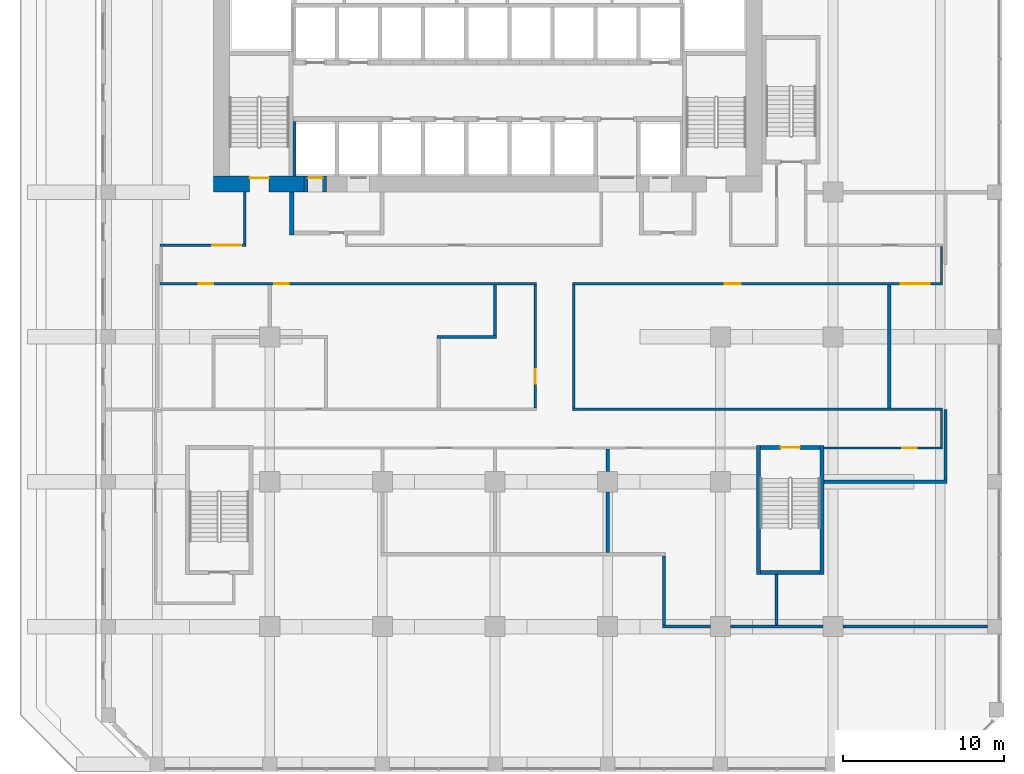
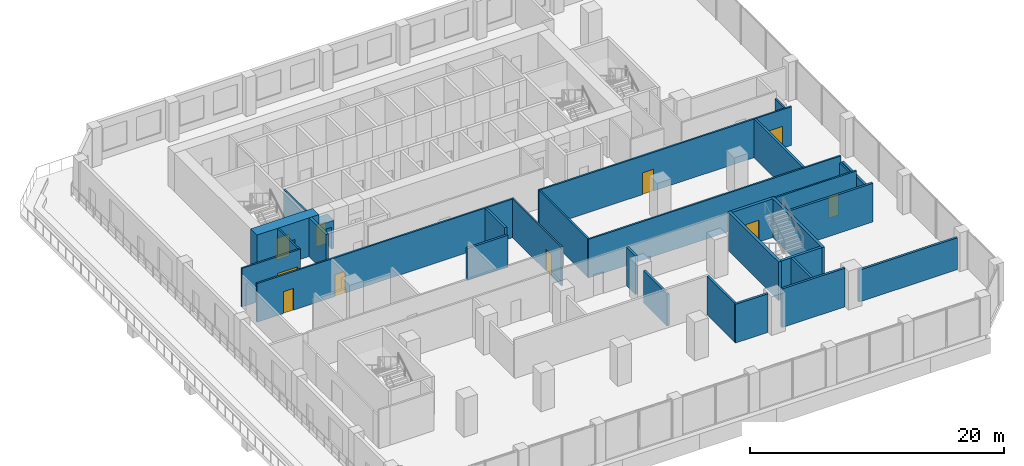
# One storey, part 13 of 20: 30 walls, 10 doors, 10 openings.
"""IFC4 building model written with IfcOpenShell, lengths in metres."""

from ifc_helpers import new_model, si_unit, direction, frame, frame_2d, origin, place, context, subcontext, project, spatial, rectangle, extrude, source, transform, mapped, material, layer, layer_set, type_object, element, fill, save


model = new_model("IFC4")

# Units and contexts
model_context = context("Model", 3, precision=1e-05, world=origin(), true_north=direction((0.0, 1.0)))
body_context = subcontext(model_context, "Body", "Model", "MODEL_VIEW")
ifc_project = project(units=[si_unit("LENGTHUNIT", "METRE"), si_unit("AREAUNIT", "SQUARE_METRE"), si_unit("VOLUMEUNIT", "CUBIC_METRE"), si_unit("PLANEANGLEUNIT", "RADIAN"), si_unit("MASSUNIT", "GRAM", prefix="KILO")], contexts=[model_context])

# Site, building, storey
site_placement = place(None, origin())
site = spatial("IfcSite", under=ifc_project, at=site_placement, CompositionType="ELEMENT")
building_placement = place(site_placement, origin())
building = spatial("IfcBuilding", under=site, at=building_placement, Name="Kilnfold Tower and Market Hall", CompositionType="ELEMENT")
storey_placement = place(building_placement, frame((0.0, 0.0, 63.199951171875)))
storey = spatial("IfcBuildingStorey", under=building, at=storey_placement, Name="L14", CompositionType="ELEMENT", Elevation=63.199951171875)

# Wall, openings, doors
ifc_material_1 = material(Name="Gypsum board on steel studs", Category="steel")
ifc_layer_1 = layer(ifc_material_1, 0.14990234375)
ifc_layer_set_1 = layer_set([ifc_layer_1], Name="Gypsum board on steel studs")
wall_type_1 = type_object("IfcWallType", Name="WALL CORRIDOR 150", PredefinedType="PARTITIONING", material=ifc_layer_set_1)
wall_1_placement = place(storey_placement, frame((-19.324951171875, 2.300048828125, 0.0), z_axis=(0.0, 0.0, 1.0), x_axis=(1.0, 0.0, 0.0)))
wall_1 = element("IfcWall", 1, at=wall_1_placement, inside=storey, type_object=wall_type_1, Name="Partition LY12.10", PredefinedType="PARTITIONING", context=body_context, shape_type="SweptSolid", body=[
    extrude(rectangle(XDim=23.39990234375, YDim=0.14990234375, at=frame_2d((11.699951171875, 0.0))), origin(), (0.0, 0.0, 1.0), 3.719970703125),
])
opening_1_placement = place(wall_1_placement, frame((2.4140625, 0.0, 0.0)))
opening_1 = element("IfcOpeningElement", 2, at=opening_1_placement, cuts=wall_1, Name="Opening D2", PredefinedType="OPENING", context=body_context, shape_type="SweptSolid", body=[
    extrude(rectangle(XDim=0.89990234375, YDim=2.10009765625, at=frame_2d((0.449951171875, 1.050048828125))), frame((0.0, 0.0849609375, 0.0), z_axis=(0.0, -1.0, 0.0), x_axis=(1.0, 0.0, 0.0)), (0.0, 0.0, 1.0), 0.169921875),
])
opening_2_placement = place(wall_1_placement, frame((7.114990234375, 0.0, 0.0)))
opening_2 = element("IfcOpeningElement", 3, at=opening_2_placement, cuts=wall_1, Name="Opening D2", PredefinedType="OPENING", context=body_context, shape_type="SweptSolid", body=[
    extrude(rectangle(XDim=0.89990234375, YDim=2.10009765625, at=frame_2d((0.449951171875, 1.050048828125))), frame((0.0, 0.0849609375, 0.0), z_axis=(0.0, -1.0, 0.0), x_axis=(1.0, 0.0, 0.0)), (0.0, 0.0, 1.0), 0.169921875),
])
ifc_material_2 = material(Name="Timber veneer door leaf in steel frame", Category="steel")
door_type_1 = type_object("IfcDoorType", Name="DOOR ROOM 900 X2100", OperationType="NOTDEFINED", PredefinedType="DOOR", material=ifc_material_2)
door_1_placement = place(opening_1_placement, origin())
door_1 = element("IfcDoor", 4, at=door_1_placement, inside=storey, type_object=door_type_1, Name="Door D2", OperationType="SINGLE_SWING_LEFT", OverallHeight=2.10009765625, OverallWidth=0.89990234375, PredefinedType="DOOR", context=body_context, shape_type="SweptSolid", body=[
    extrude(rectangle(XDim=0.89990234375, YDim=2.10009765625, at=frame_2d((0.449951171875, 1.050048828125))), frame((0.0, 0.02490234375, 0.0), z_axis=(0.0, -1.0, 0.0), x_axis=(1.0, 0.0, 0.0)), (0.0, 0.0, 1.0), 0.050048828125),
])
fill(opening_1, door_1)
door_2_placement = place(opening_2_placement, origin())
door_2 = element("IfcDoor", 5, at=door_2_placement, inside=storey, type_object=door_type_1, Name="Door D2", OperationType="SINGLE_SWING_RIGHT", OverallHeight=2.10009765625, OverallWidth=0.89990234375, PredefinedType="DOOR", context=body_context, shape_type="SweptSolid", body=[
    extrude(rectangle(XDim=0.89990234375, YDim=2.10009765625, at=frame_2d((0.449951171875, 1.050048828125))), frame((0.0, 0.02490234375, 0.0), z_axis=(0.0, -1.0, 0.0), x_axis=(1.0, 0.0, 0.0)), (0.0, 0.0, 1.0), 0.050048828125),
])
fill(opening_2, door_2)

# Wall, opening, door
wall_2_placement = place(storey_placement, frame((-19.324951171875, 4.699951171875, 0.0), z_axis=(0.0, 0.0, 1.0), x_axis=(1.0, 0.0, 0.0)))
wall_2 = element("IfcWall", 6, at=wall_2_placement, inside=storey, type_object=wall_type_1, Name="Partition LY12.12", PredefinedType="PARTITIONING", context=body_context, shape_type="SweptSolid", body=[
    extrude(rectangle(XDim=5.349853515625, YDim=0.14990234375, at=frame_2d((2.6748046875, 0.0))), origin(), (0.0, 0.0, 1.0), 3.719970703125),
])
opening_3_placement = place(wall_2_placement, frame((3.248046875, 0.0, 0.0)))
opening_3 = element("IfcOpeningElement", 7, at=opening_3_placement, cuts=wall_2, Name="Opening D5", PredefinedType="OPENING", context=body_context, shape_type="SweptSolid", body=[
    extrude(rectangle(XDim=1.800048828125, YDim=2.10009765625, at=frame_2d((0.89990234375, 1.050048828125))), frame((0.0, 0.0849609375, 0.0), z_axis=(0.0, -1.0, 0.0), x_axis=(1.0, 0.0, 0.0)), (0.0, 0.0, 1.0), 0.169921875),
])
ifc_material_3 = material(Name="Timber veneer door leaf in steel frame", Category="steel")
door_type_2 = type_object("IfcDoorType", Name="DOOR DOUBLE 1800 X2100", OperationType="NOTDEFINED", PredefinedType="DOOR", material=ifc_material_3)
door_3_placement = place(opening_3_placement, origin())
door_3 = element("IfcDoor", 8, at=door_3_placement, inside=storey, type_object=door_type_2, Name="Door D5", OperationType="DOUBLE_DOOR_SINGLE_SWING", OverallHeight=2.10009765625, OverallWidth=1.800048828125, PredefinedType="DOOR", context=body_context, shape_type="SweptSolid", body=[
    extrude(rectangle(XDim=1.800048828125, YDim=2.10009765625, at=frame_2d((0.89990234375, 1.050048828125))), frame((0.0, 0.02490234375, 0.0), z_axis=(0.0, -1.0, 0.0), x_axis=(1.0, 0.0, 0.0)), (0.0, 0.0, 1.0), 0.050048828125),
])
fill(opening_3, door_3)

# Wall
wall_3_placement = place(storey_placement, frame((-14.050048828125, 8.0, 0.0), z_axis=(0.0, 0.0, 1.0), x_axis=(0.0, -1.0, 0.0)))
element("IfcWall", 9, at=wall_3_placement, inside=storey, type_object=wall_type_1, Name="Partition LY12.13", PredefinedType="PARTITIONING", context=body_context, shape_type="SweptSolid", body=[
    extrude(rectangle(XDim=3.22509765625, YDim=0.14990234375, at=frame_2d((1.612548828125, 0.0))), origin(), (0.0, 0.0, 1.0), 3.719970703125),
])

# Wall, opening, door
wall_4_placement = place(storey_placement, frame((4.0, 2.22509765625, 0.0), z_axis=(0.0, 0.0, 1.0), x_axis=(0.0, -1.0, 0.0)))
wall_4 = element("IfcWall", 10, at=wall_4_placement, inside=storey, type_object=wall_type_1, Name="Partition LY12.17", PredefinedType="PARTITIONING", context=body_context, shape_type="SweptSolid", body=[
    extrude(rectangle(XDim=7.650146484375, YDim=0.14990234375, at=frame_2d((3.8251953125, 0.0))), origin(), (0.0, 0.0, 1.0), 3.719970703125),
])
opening_4_placement = place(wall_4_placement, frame((5.239990234375, 0.0, 0.0)))
opening_4 = element("IfcOpeningElement", 11, at=opening_4_placement, cuts=wall_4, Name="Opening D2", PredefinedType="OPENING", context=body_context, shape_type="SweptSolid", body=[
    extrude(rectangle(XDim=0.89990234375, YDim=2.10009765625, at=frame_2d((0.449951171875, 1.050048828125))), frame((0.0, 0.0849609375, 0.0), z_axis=(0.0, -1.0, 0.0), x_axis=(1.0, 0.0, 0.0)), (0.0, 0.0, 1.0), 0.169921875),
])
door_4_placement = place(opening_4_placement, origin())
door_4 = element("IfcDoor", 12, at=door_4_placement, inside=storey, type_object=door_type_1, Name="Door D2", OperationType="SINGLE_SWING_LEFT", OverallHeight=2.10009765625, OverallWidth=0.89990234375, PredefinedType="DOOR", context=body_context, shape_type="SweptSolid", body=[
    extrude(rectangle(XDim=0.89990234375, YDim=2.10009765625, at=frame_2d((0.449951171875, 1.050048828125))), frame((0.0, 0.02490234375, 0.0), z_axis=(0.0, -1.0, 0.0), x_axis=(1.0, 0.0, 0.0)), (0.0, 0.0, 1.0), 0.050048828125),
])
fill(opening_4, door_4)

# Wall, openings, doors
wall_5_placement = place(storey_placement, frame((6.324951171875, 2.300048828125, 0.0), z_axis=(0.0, 0.0, 1.0), x_axis=(1.0, 0.0, 0.0)))
wall_5 = element("IfcWall", 13, at=wall_5_placement, inside=storey, type_object=wall_type_1, Name="Partition LY12.18", PredefinedType="PARTITIONING", context=body_context, shape_type="SweptSolid", body=[
    extrude(rectangle(XDim=23.0, YDim=0.14990234375, at=frame_2d((11.5, 0.0))), origin(), (0.0, 0.0, 1.0), 3.719970703125),
])
opening_5_placement = place(wall_5_placement, frame((9.443115234375, 0.0, 0.0)))
opening_5 = element("IfcOpeningElement", 14, at=opening_5_placement, cuts=wall_5, Name="Opening D1", PredefinedType="OPENING", context=body_context, shape_type="SweptSolid", body=[
    extrude(rectangle(XDim=1.0, YDim=2.10009765625, at=frame_2d((0.5, 1.050048828125))), frame((0.0, 0.0849609375, 0.0), z_axis=(0.0, -1.0, 0.0), x_axis=(1.0, 0.0, 0.0)), (0.0, 0.0, 1.0), 0.169921875),
])
opening_6_placement = place(wall_5_placement, frame((20.381103515625, 0.0, 0.0)))
opening_6 = element("IfcOpeningElement", 15, at=opening_6_placement, cuts=wall_5, Name="Opening D5", PredefinedType="OPENING", context=body_context, shape_type="SweptSolid", body=[
    extrude(rectangle(XDim=1.800048828125, YDim=2.10009765625, at=frame_2d((0.89990234375, 1.050048828125))), frame((0.0, 0.0849609375, 0.0), z_axis=(0.0, -1.0, 0.0), x_axis=(1.0, 0.0, 0.0)), (0.0, 0.0, 1.0), 0.169921875),
])
door_5_placement = place(opening_6_placement, origin())
door_5 = element("IfcDoor", 16, at=door_5_placement, inside=storey, type_object=door_type_2, Name="Door D5", OperationType="DOUBLE_DOOR_SINGLE_SWING", OverallHeight=2.10009765625, OverallWidth=1.800048828125, PredefinedType="DOOR", context=body_context, shape_type="SweptSolid", body=[
    extrude(rectangle(XDim=1.800048828125, YDim=2.10009765625, at=frame_2d((0.89990234375, 1.050048828125))), frame((0.0, 0.02490234375, 0.0), z_axis=(0.0, -1.0, 0.0), x_axis=(1.0, 0.0, 0.0)), (0.0, 0.0, 1.0), 0.050048828125),
])
fill(opening_6, door_5)
ifc_material_4 = material(Name="Timber veneer door leaf in steel frame", Category="steel")
door_type_3 = type_object("IfcDoorType", Name="DOOR ENTRY 1000 X2100", OperationType="NOTDEFINED", PredefinedType="DOOR", material=ifc_material_4)
door_6_placement = place(opening_5_placement, origin())
door_6 = element("IfcDoor", 17, at=door_6_placement, inside=storey, type_object=door_type_3, Name="Door D1", OperationType="SINGLE_SWING_LEFT", OverallHeight=2.10009765625, OverallWidth=1.0, PredefinedType="DOOR", context=body_context, shape_type="SweptSolid", body=[
    extrude(rectangle(XDim=1.0, YDim=2.10009765625, at=frame_2d((0.5, 1.050048828125))), frame((0.0, 0.02490234375, 0.0), z_axis=(0.0, -1.0, 0.0), x_axis=(1.0, 0.0, 0.0)), (0.0, 0.0, 1.0), 0.050048828125),
])
fill(opening_5, door_6)

# Walls
wall_6_placement = place(storey_placement, frame((6.39990234375, -5.425048828125, 0.0), z_axis=(0.0, 0.0, 1.0), x_axis=(0.0, 1.0, 0.0)))
element("IfcWall", 18, at=wall_6_placement, inside=storey, type_object=wall_type_1, Name="Partition LY12.19", PredefinedType="PARTITIONING", context=body_context, shape_type="SweptSolid", body=[
    extrude(rectangle(XDim=7.650146484375, YDim=0.14990234375, at=frame_2d((3.8251953125, 0.0))), origin(), (0.0, 0.0, 1.0), 3.719970703125),
])
wall_7_placement = place(storey_placement, frame((6.324951171875, -5.5, 0.0), z_axis=(0.0, 0.0, 1.0), x_axis=(1.0, 0.0, 0.0)))
element("IfcWall", 19, at=wall_7_placement, inside=storey, type_object=wall_type_1, Name="Partition LY12.20", PredefinedType="PARTITIONING", context=body_context, shape_type="SweptSolid", body=[
    extrude(rectangle(XDim=23.0, YDim=0.14990234375, at=frame_2d((11.5, 0.0))), origin(), (0.0, 0.0, 1.0), 3.719970703125),
])
wall_8_placement = place(storey_placement, frame((29.25, -7.824951171875, 0.0), z_axis=(0.0, 0.0, 1.0), x_axis=(0.0, 1.0, 0.0)))
element("IfcWall", 20, at=wall_8_placement, inside=storey, type_object=wall_type_1, Name="Partition LY12.27", PredefinedType="PARTITIONING", context=body_context, shape_type="SweptSolid", body=[
    extrude(rectangle(XDim=2.25, YDim=0.14990234375, at=frame_2d((1.125, 0.0))), origin(), (0.0, 0.0, 1.0), 3.070068359375),
])

# Wall, opening, door
wall_9_placement = place(storey_placement, frame((21.89990234375, -7.89990234375, 0.0), z_axis=(0.0, 0.0, 1.0), x_axis=(1.0, 0.0, 0.0)))
wall_9 = element("IfcWall", 21, at=wall_9_placement, inside=storey, type_object=wall_type_1, Name="Partition LY12.28", PredefinedType="PARTITIONING", context=body_context, shape_type="SweptSolid", body=[
    extrude(rectangle(XDim=7.425048828125, YDim=0.14990234375, at=frame_2d((3.71240234375, 0.0))), origin(), (0.0, 0.0, 1.0), 3.719970703125),
])
opening_7_placement = place(wall_9_placement, frame((4.9189453125, 0.0, 0.0)))
opening_7 = element("IfcOpeningElement", 22, at=opening_7_placement, cuts=wall_9, Name="Opening D2", PredefinedType="OPENING", context=body_context, shape_type="SweptSolid", body=[
    extrude(rectangle(XDim=0.89990234375, YDim=2.10009765625, at=frame_2d((0.449951171875, 1.050048828125))), frame((0.0, 0.0849609375, 0.0), z_axis=(0.0, -1.0, 0.0), x_axis=(1.0, 0.0, 0.0)), (0.0, 0.0, 1.0), 0.169921875),
])
door_7_placement = place(opening_7_placement, origin())
door_7 = element("IfcDoor", 23, at=door_7_placement, inside=storey, type_object=door_type_1, Name="Door D2", OperationType="SINGLE_SWING_RIGHT", OverallHeight=2.10009765625, OverallWidth=0.89990234375, PredefinedType="DOOR", context=body_context, shape_type="SweptSolid", body=[
    extrude(rectangle(XDim=0.89990234375, YDim=2.10009765625, at=frame_2d((0.449951171875, 1.050048828125))), frame((0.0, 0.02490234375, 0.0), z_axis=(0.0, -1.0, 0.0), x_axis=(1.0, 0.0, 0.0)), (0.0, 0.0, 1.0), 0.050048828125),
])
fill(opening_7, door_7)

# Walls
wall_10_placement = place(storey_placement, frame((29.25, 2.375, 0.0), z_axis=(0.0, 0.0, 1.0), x_axis=(0.0, 1.0, 0.0)))
element("IfcWall", 24, at=wall_10_placement, inside=storey, type_object=wall_type_1, Name="Partition LY12.29", PredefinedType="PARTITIONING", context=body_context, shape_type="SweptSolid", body=[
    extrude(rectangle(XDim=2.25, YDim=0.14990234375, at=frame_2d((1.125, 0.0))), origin(), (0.0, 0.0, 1.0), 3.070068359375),
])
ifc_material_5 = material(Name="Gypsum board on steel studs", Category="steel")
ifc_layer_2 = layer(ifc_material_5, 0.199951171875)
ifc_layer_set_2 = layer_set([ifc_layer_2], Name="Gypsum board on steel studs")
wall_type_2 = type_object("IfcWallType", Name="WALL PARTY 200", PredefinedType="PARTITIONING", material=ifc_layer_set_2)
wall_11_placement = place(storey_placement, frame((12.0, -18.89990234375, 0.0), z_axis=(0.0, 0.0, 1.0), x_axis=(0.0, 1.0, 0.0)))
element("IfcWall", 25, at=wall_11_placement, inside=storey, type_object=wall_type_2, Name="Partition LY12.34", PredefinedType="PARTITIONING", context=body_context, shape_type="SweptSolid", body=[
    extrude(rectangle(XDim=4.2998046875, YDim=0.199951171875, at=frame_2d((2.14990234375, 0.0))), origin(), (0.0, 0.0, 1.0), 3.719970703125),
])
wall_12_placement = place(storey_placement, frame((11.89990234375, -19.0, 0.0), z_axis=(0.0, 0.0, 1.0), x_axis=(1.0, 0.0, 0.0)))
element("IfcWall", 26, at=wall_12_placement, inside=storey, type_object=wall_type_2, Name="Partition LY12.35", PredefinedType="PARTITIONING", context=body_context, shape_type="SweptSolid", body=[
    extrude(rectangle(XDim=2.97509765625, YDim=0.199951171875, at=frame_2d((1.487548828125, 0.0))), origin(), (0.0, 0.0, 1.0), 3.719970703125),
])
wall_13_placement = place(storey_placement, frame((16.125, -19.0, 0.0), z_axis=(0.0, 0.0, 1.0), x_axis=(1.0, 0.0, 0.0)))
element("IfcWall", 27, at=wall_13_placement, inside=storey, type_object=wall_type_2, Name="Partition LY12.36", PredefinedType="PARTITIONING", context=body_context, shape_type="SweptSolid", body=[
    extrude(rectangle(XDim=5.75, YDim=0.199951171875, at=frame_2d((2.875, 0.0))), origin(), (0.0, 0.0, 1.0), 3.719970703125),
])
wall_14_placement = place(storey_placement, frame((23.125, -19.0, 0.0), z_axis=(0.0, 0.0, 1.0), x_axis=(1.0, 0.0, 0.0)))
element("IfcWall", 28, at=wall_14_placement, inside=storey, type_object=wall_type_2, Name="Partition LY12.37", PredefinedType="PARTITIONING", context=body_context, shape_type="SweptSolid", body=[
    extrude(rectangle(XDim=8.97509765625, YDim=0.199951171875, at=frame_2d((4.487548828125, 0.0))), origin(), (0.0, 0.0, 1.0), 3.070068359375),
])
wall_15_placement = place(storey_placement, frame((1.5, -0.89990234375, 0.0), z_axis=(0.0, 0.0, 1.0), x_axis=(0.0, 1.0, 0.0)))
element("IfcWall", 29, at=wall_15_placement, inside=storey, type_object=wall_type_2, Name="Partition LY12.46", PredefinedType="PARTITIONING", context=body_context, shape_type="SweptSolid", body=[
    extrude(rectangle(XDim=3.1240234375, YDim=0.199951171875, at=frame_2d((1.56201171875, 0.0))), origin(), (0.0, 0.0, 1.0), 3.719970703125),
])
wall_16_placement = place(storey_placement, frame((-2.10009765625, -1.0, 0.0), z_axis=(0.0, 0.0, 1.0), x_axis=(1.0, 0.0, 0.0)))
element("IfcWall", 30, at=wall_16_placement, inside=storey, type_object=wall_type_2, Name="Partition LY12.47", PredefinedType="PARTITIONING", context=body_context, shape_type="SweptSolid", body=[
    extrude(rectangle(XDim=3.7001953125, YDim=0.199951171875, at=frame_2d((1.85009765625, 0.0))), origin(), (0.0, 0.0, 1.0), 3.070068359375),
])
wall_17_placement = place(storey_placement, frame((8.5, -9.375, 0.0), z_axis=(0.0, 0.0, 1.0), x_axis=(0.0, 1.0, 0.0)))
element("IfcWall", 31, at=wall_17_placement, inside=storey, type_object=wall_type_2, Name="Partition LY12.51", PredefinedType="PARTITIONING", context=body_context, shape_type="SweptSolid", body=[
    extrude(rectangle(XDim=1.39892578125, YDim=0.199951171875, at=frame_2d((0.699462890625, 0.0))), origin(), (0.0, 0.0, 1.0), 3.719970703125),
])
wall_18_placement = place(storey_placement, frame((8.5, -14.39990234375, 0.0), z_axis=(0.0, 0.0, 1.0), x_axis=(0.0, 1.0, 0.0)))
element("IfcWall", 32, at=wall_18_placement, inside=storey, type_object=wall_type_2, Name="Partition LY12.52", PredefinedType="PARTITIONING", context=body_context, shape_type="SweptSolid", body=[
    extrude(rectangle(XDim=3.77490234375, YDim=0.199951171875, at=frame_2d((1.887451171875, 0.0))), origin(), (0.0, 0.0, 1.0), 3.070068359375),
])
wall_19_placement = place(storey_placement, frame((26.0, -5.424072265625, 0.0), z_axis=(0.0, 0.0, 1.0), x_axis=(0.0, 1.0, 0.0)))
element("IfcWall", 33, at=wall_19_placement, inside=storey, type_object=wall_type_2, Name="Partition LY12.53", PredefinedType="PARTITIONING", context=body_context, shape_type="SweptSolid", body=[
    extrude(rectangle(XDim=7.648193359375, YDim=0.199951171875, at=frame_2d((3.82421875, 0.0))), origin(), (0.0, 0.0, 1.0), 3.719970703125),
])
wall_20_placement = place(storey_placement, frame((19.0, -18.89990234375, 0.0), z_axis=(0.0, 0.0, 1.0), x_axis=(0.0, 1.0, 0.0)))
element("IfcWall", 34, at=wall_20_placement, inside=storey, type_object=wall_type_2, Name="Partition LY12.54", PredefinedType="PARTITIONING", context=body_context, shape_type="SweptSolid", body=[
    extrude(rectangle(XDim=3.14990234375, YDim=0.199951171875, at=frame_2d((1.574951171875, 0.0))), origin(), (0.0, 0.0, 1.0), 3.719970703125),
])
wall_21_placement = place(storey_placement, frame((29.5, -9.89990234375, 0.0), z_axis=(0.0, 0.0, 1.0), x_axis=(0.0, 1.0, 0.0)))
element("IfcWall", 35, at=wall_21_placement, inside=storey, type_object=wall_type_2, Name="Partition LY12.58", PredefinedType="PARTITIONING", context=body_context, shape_type="SweptSolid", body=[
    extrude(rectangle(XDim=4.39990234375, YDim=0.199951171875, at=frame_2d((2.199951171875, 0.0))), origin(), (0.0, 0.0, 1.0), 3.070068359375),
])
wall_22_placement = place(storey_placement, frame((21.949951171875, -10.0, 0.0), z_axis=(0.0, 0.0, 1.0), x_axis=(1.0, 0.0, 0.0)))
element("IfcWall", 36, at=wall_22_placement, inside=storey, type_object=wall_type_2, Name="Partition LY12.59", PredefinedType="PARTITIONING", context=body_context, shape_type="SweptSolid", body=[
    extrude(rectangle(XDim=7.650146484375, YDim=0.199951171875, at=frame_2d((3.8251953125, 0.0))), origin(), (0.0, 0.0, 1.0), 3.719970703125),
])

# Wall, opening, door
ifc_material_6 = material(Name="Concrete C80", Category="concrete")
ifc_layer_3 = layer(ifc_material_6, 1.0)
ifc_layer_set_3 = layer_set([ifc_layer_3], Name="Concrete C80")
wall_type_3 = type_object("IfcWallType", Name="CORE WALL 1000 C80", PredefinedType="SHEAR", material=ifc_layer_set_3)
shared_shape_1 = source(origin(), body_context, "Body", "SweptSolid", [
    extrude(rectangle(XDim=5.6298828125, YDim=1.0, at=frame_2d((2.81494140625, 0.0))), origin(), (0.0, 0.0, 1.0), 3.719970703125),
])
wall_23_placement = place(storey_placement, frame((-16.0, 8.5, 0.0), z_axis=(0.0, 0.0, 1.0), x_axis=(1.0, 0.0, 0.0)))
wall_23 = element("IfcWall", 37, at=wall_23_placement, inside=storey, type_object=wall_type_3, Name="Core outer wall south", PredefinedType="SHEAR", context=body_context, shape_type="MappedRepresentation", body=[
    mapped(shared_shape_1, transform((0.0, 0.0, 0.0))),
])
opening_8_placement = place(wall_23_placement, frame((2.25, 0.0, 0.0)))
opening_8 = element("IfcOpeningElement", 38, at=opening_8_placement, cuts=wall_23, Name="Opening SD1", PredefinedType="OPENING", context=body_context, shape_type="SweptSolid", body=[
    extrude(rectangle(XDim=1.199951171875, YDim=2.10009765625, at=frame_2d((0.60009765625, 1.050048828125))), frame((0.0, 0.510009765625, 0.0), z_axis=(0.0, -1.0, 0.0), x_axis=(1.0, 0.0, 0.0)), (0.0, 0.0, 1.0), 1.02001953125),
])
ifc_material_7 = material(Name="Steel door set with fire-resisting leaf", Category="steel")
door_type_4 = type_object("IfcDoorType", Name="STAIR FLOOR DOOR 1200X2100", OperationType="NOTDEFINED", PredefinedType="DOOR", material=ifc_material_7)
door_8_placement = place(opening_8_placement, origin())
door_8 = element("IfcDoor", 39, at=door_8_placement, inside=storey, type_object=door_type_4, Name="Exit stair ST1 door", OperationType="DOUBLE_DOOR_SINGLE_SWING", OverallHeight=2.10009765625, OverallWidth=1.199951171875, PredefinedType="DOOR", context=body_context, shape_type="SweptSolid", body=[
    extrude(rectangle(XDim=1.199951171875, YDim=2.10009765625, at=frame_2d((0.60009765625, 1.050048828125))), frame((0.0, 0.40478515625, 0.0), z_axis=(0.0, -1.0, 0.0), x_axis=(1.0, 0.0, 0.0)), (0.0, 0.0, 1.0), 0.050048828125),
])
fill(opening_8, door_8)

# Wall
ifc_material_8 = material(Name="Concrete C80", Category="concrete")
ifc_layer_4 = layer(ifc_material_8, 0.25)
ifc_layer_set_4 = layer_set([ifc_layer_4], Name="Concrete C80")
wall_type_4 = type_object("IfcWallType", Name="CORE WALL 250 C80", PredefinedType="SHEAR", material=ifc_layer_set_4)
shared_shape_2 = source(origin(), body_context, "Body", "SweptSolid", [
    extrude(rectangle(XDim=3.699951171875, YDim=0.25, at=frame_2d((1.85009765625, 0.0))), origin(), (0.0, 0.0, 1.0), 3.719970703125),
])
wall_24_placement = place(storey_placement, frame((18.0, -15.625, 0.0), z_axis=(0.0, 0.0, 1.0), x_axis=(1.0, 0.0, 0.0)))
element("IfcWall", 40, at=wall_24_placement, inside=storey, type_object=wall_type_4, Name="Stair enclosure ST4", PredefinedType="SHEAR", context=body_context, shape_type="MappedRepresentation", body=[
    mapped(shared_shape_2, transform((0.0, 0.0, 0.0))),
])

# Wall, opening, door
wall_25_placement = place(storey_placement, frame((18.0, -7.875, 0.0), z_axis=(0.0, 0.0, 1.0), x_axis=(1.0, 0.0, 0.0)))
wall_25 = element("IfcWall", 41, at=wall_25_placement, inside=storey, type_object=wall_type_4, Name="Stair enclosure ST4", PredefinedType="SHEAR", context=body_context, shape_type="MappedRepresentation", body=[
    mapped(shared_shape_2, transform((0.0, 0.0, 0.0))),
])
opening_9_placement = place(wall_25_placement, frame((1.25, 0.0, 0.0)))
opening_9 = element("IfcOpeningElement", 42, at=opening_9_placement, cuts=wall_25, Name="Opening SD1", PredefinedType="OPENING", context=body_context, shape_type="SweptSolid", body=[
    extrude(rectangle(XDim=1.199951171875, YDim=2.10009765625, at=frame_2d((0.60009765625, 1.050048828125))), frame((0.0, 0.135009765625, 0.0), z_axis=(0.0, -1.0, 0.0), x_axis=(1.0, 0.0, 0.0)), (0.0, 0.0, 1.0), 0.27001953125),
])
door_9_placement = place(opening_9_placement, origin())
door_9 = element("IfcDoor", 43, at=door_9_placement, inside=storey, type_object=door_type_4, Name="Exit stair ST4 door", OperationType="DOUBLE_DOOR_SINGLE_SWING", OverallHeight=2.10009765625, OverallWidth=1.199951171875, PredefinedType="DOOR", context=body_context, shape_type="SweptSolid", body=[
    extrude(rectangle(XDim=1.199951171875, YDim=2.10009765625, at=frame_2d((0.60009765625, 1.050048828125))), frame((0.0, 0.02490234375, 0.0), z_axis=(0.0, -1.0, 0.0), x_axis=(1.0, 0.0, 0.0)), (0.0, 0.0, 1.0), 0.050048828125),
])
fill(opening_9, door_9)

# Walls
shared_shape_3 = source(origin(), body_context, "Body", "SweptSolid", [
    extrude(rectangle(XDim=8.0, YDim=0.25, at=frame_2d((4.0, 0.0))), origin(), (0.0, 0.0, 1.0), 3.719970703125),
])
for number, where, z_axis, x_axis, name in (
    (44, (17.875, -15.75, 0.0), (0.0, 0.0, 1.0), (0.0, 1.0, 0.0), "Stair enclosure ST4"),
    (45, (21.824951171875, -15.75, 0.0), (0.0, 0.0, 1.0), (0.0, 1.0, 0.0), "Stair enclosure ST4"),
):
    element("IfcWall", number, at=place(storey_placement, frame(where, z_axis=z_axis, x_axis=x_axis)), inside=storey, type_object=wall_type_4, Name=name, PredefinedType="SHEAR", context=body_context, shape_type="MappedRepresentation", body=[
        mapped(shared_shape_3, transform((0.0, 0.0, 0.0))),
    ])

# Wall, opening, door
ifc_material_9 = material(Name="Gypsum shaft wall system")
ifc_layer_5 = layer(ifc_material_9, 1.0)
ifc_layer_set_5 = layer_set([ifc_layer_5], Name="Gypsum shaft wall system")
wall_type_5 = type_object("IfcWallType", Name="LOBBY WALL 1000", PredefinedType="PARTITIONING", material=ifc_layer_set_5)
shared_shape_4 = source(origin(), body_context, "Body", "SweptSolid", [
    extrude(rectangle(XDim=1.400146484375, YDim=1.0, at=frame_2d((0.7001953125, 0.0))), origin(), (0.0, 0.0, 1.0), 2.699951171875),
])
wall_26_placement = place(storey_placement, frame((-10.3701171875, 8.5, 0.0), z_axis=(0.0, 0.0, 1.0), x_axis=(1.0, 0.0, 0.0)))
wall_26 = element("IfcWall", 46, at=wall_26_placement, inside=storey, type_object=wall_type_5, Name="Core wall infill", PredefinedType="PARTITIONING", context=body_context, shape_type="MappedRepresentation", body=[
    mapped(shared_shape_4, transform((0.0, 0.0, 0.0))),
])
opening_10_placement = place(wall_26_placement, frame((0.25, 0.0, 0.0)))
opening_10 = element("IfcOpeningElement", 47, at=opening_10_placement, cuts=wall_26, Name="Opening LD1", PredefinedType="OPENING", context=body_context, shape_type="SweptSolid", body=[
    extrude(rectangle(XDim=0.89990234375, YDim=2.10009765625, at=frame_2d((0.449951171875, 1.050048828125))), frame((0.0, 0.510009765625, 0.0), z_axis=(0.0, -1.0, 0.0), x_axis=(1.0, 0.0, 0.0)), (0.0, 0.0, 1.0), 1.02001953125),
])
ifc_material_10 = material(Name="Steel door set with fire-resisting leaf", Category="steel")
door_type_5 = type_object("IfcDoorType", Name="FIREFIGHTING LANDING DOOR 900X2100", OperationType="NOTDEFINED", PredefinedType="DOOR", material=ifc_material_10)
door_10_placement = place(opening_10_placement, origin())
door_10 = element("IfcDoor", 48, at=door_10_placement, inside=storey, type_object=door_type_5, Name="Landing door FF1", OperationType="SLIDING_TO_LEFT", OverallHeight=2.10009765625, OverallWidth=0.89990234375, PredefinedType="DOOR", context=body_context, shape_type="SweptSolid", body=[
    extrude(rectangle(XDim=0.89990234375, YDim=2.10009765625, at=frame_2d((0.449951171875, 1.050048828125))), frame((0.0, 0.40478515625, 0.0), z_axis=(0.0, -1.0, 0.0), x_axis=(1.0, 0.0, 0.0)), (0.0, 0.0, 1.0), 0.050048828125),
])
fill(opening_10, door_10)

# Walls
ifc_material_11 = material(Name="Gypsum shaft wall system")
ifc_layer_6 = layer(ifc_material_11, 0.25)
ifc_layer_set_6 = layer_set([ifc_layer_6], Name="Gypsum shaft wall system")
wall_type_6 = type_object("IfcWallType", Name="LOBBY WALL 250", PredefinedType="PARTITIONING", material=ifc_layer_set_6)
shared_shape_5 = source(origin(), body_context, "Body", "SweptSolid", [
    extrude(rectangle(XDim=2.64990234375, YDim=0.25, at=frame_2d((1.324951171875, 0.0))), origin(), (0.0, 0.0, 1.0), 3.719970703125),
])
wall_27_placement = place(storey_placement, frame((-11.135009765625, 5.35009765625, 0.0), z_axis=(0.0, 0.0, 1.0), x_axis=(0.0, 1.0, 0.0)))
element("IfcWall", 49, at=wall_27_placement, inside=storey, type_object=wall_type_6, Name="Firefighting lobby wall", PredefinedType="PARTITIONING", context=body_context, shape_type="MappedRepresentation", body=[
    mapped(shared_shape_5, transform((0.0, 0.0, 0.0))),
])
ifc_material_12 = material(Name="Gypsum shaft wall system")
ifc_layer_7 = layer(ifc_material_12, 0.1650390625)
ifc_layer_set_7 = layer_set([ifc_layer_7], Name="Gypsum shaft wall system")
wall_type_7 = type_object("IfcWallType", Name="SHAFT WALL 165", PredefinedType="PARTITIONING", material=ifc_layer_set_7)
shared_shape_6 = source(origin(), body_context, "Body", "SweptSolid", [
    extrude(rectangle(XDim=3.39990234375, YDim=0.1650390625, at=frame_2d((1.699951171875, 0.0))), origin(), (0.0, 0.0, 1.0), 3.719970703125),
])
wall_28_placement = place(storey_placement, frame((-10.967529296875, 9.0, 0.0), z_axis=(0.0, 0.0, 1.0), x_axis=(0.0, 1.0, 0.0)))
element("IfcWall", 50, at=wall_28_placement, inside=storey, type_object=wall_type_7, Name="Lift shaft wall", PredefinedType="PARTITIONING", context=body_context, shape_type="MappedRepresentation", body=[
    mapped(shared_shape_6, transform((0.0, 0.0, 0.0))),
])

save(model, "model.ifc")
